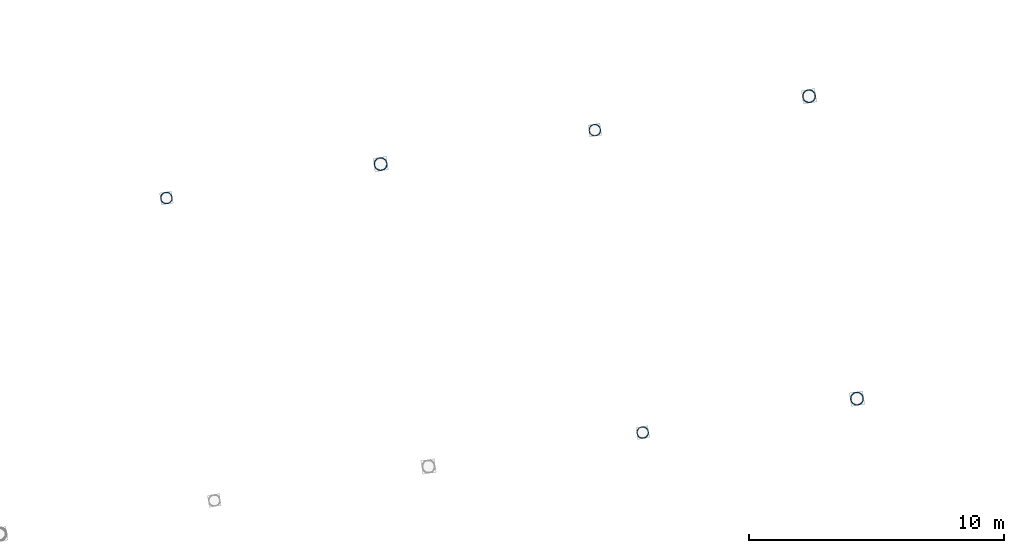
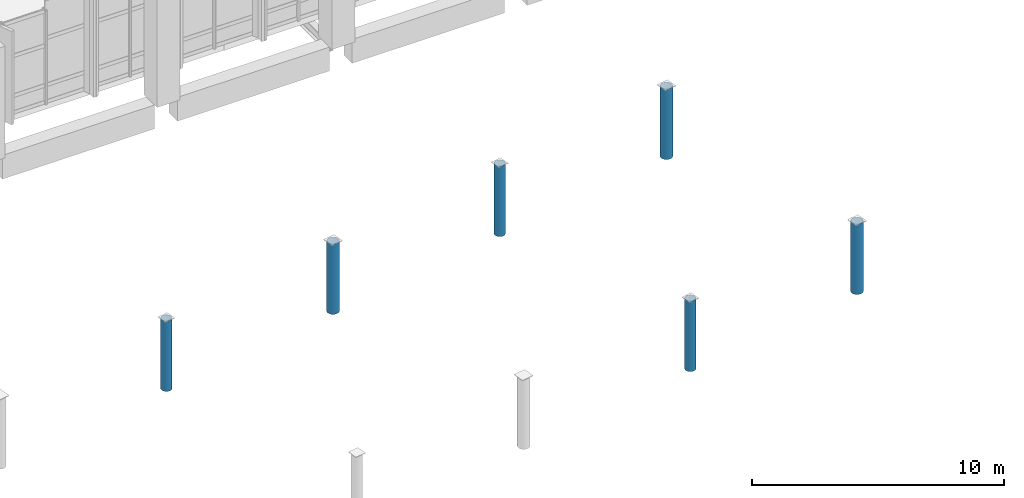
# One storey, part 5 of 176: 6 columns.
"""IFC4 building model written with IfcOpenShell, lengths in metres."""

from ifc_helpers import new_model, si_unit, direction, frame, origin, origin_2d, place, context, subcontext, project, spatial, hollow_circle, extrude, material, material_profile, profile_set, type_object, element, save


model = new_model("IFC4")

# Units and contexts
model_context = context("Model", 3, precision=1e-05, world=origin(), true_north=direction((0.0, 1.0)))
body_context = subcontext(model_context, "Body", "Model", "MODEL_VIEW")
ifc_project = project(units=[si_unit("LENGTHUNIT", "METRE"), si_unit("AREAUNIT", "SQUARE_METRE"), si_unit("VOLUMEUNIT", "CUBIC_METRE"), si_unit("PLANEANGLEUNIT", "RADIAN"), si_unit("MASSUNIT", "GRAM", prefix="KILO")], contexts=[model_context])

# Site, building, storey
site_placement = place(None, origin())
site = spatial("IfcSite", under=ifc_project, at=site_placement, CompositionType="ELEMENT")
building_placement = place(site_placement, origin())
building = spatial("IfcBuilding", under=site, at=building_placement, Name="Khorjan Park Terminus", CompositionType="ELEMENT")
storey_placement = place(building_placement, frame((0.0, 0.0, 6.0)))
storey = spatial("IfcBuildingStorey", under=building, at=storey_placement, Name="L01", CompositionType="ELEMENT", Elevation=6.0)

# Columns
ifc_material = material(Name="Steel S355", Category="steel")
ifc_material_profile_1 = material_profile(ifc_material, hollow_circle(Radius=0.2285, WallThickness=0.016, at=origin_2d()), Name="CHS 457x16")
ifc_profile_set_1 = profile_set([ifc_material_profile_1], Name="Steel S355")
column_type_1 = type_object("IfcColumnType", Name="COL-SH457E", PredefinedType="COLUMN", material=ifc_profile_set_1)
for number, where, z_axis, x_axis, name in (
    (1, (94.1, 8.501, 0.0), (0.0, 0.0, 1.0), (0.987688340595, 0.15643446504, 0.0), "Structural column SC-46 (L01 #577)"),
    (2, (112.767, -0.692, 0.0), (0.0, 0.0, 1.0), (0.987688340595, 0.15643446504, 0.0), "Structural column SC-46 (L01 #586)"),
    (3, (110.89, 11.16, 0.0), (0.0, 0.0, 1.0), (0.987688340595, 0.15643446504, 0.0), "Structural column SC-46 (L01 #589)"),
):
    element("IfcColumn", number, at=place(storey_placement, frame(where, z_axis=z_axis, x_axis=x_axis)), inside=storey, type_object=column_type_1, Name=name, PredefinedType="COLUMN", context=body_context, shape_type="SweptSolid", body=[
        extrude(hollow_circle(Radius=0.2285, WallThickness=0.016, at=origin_2d()), origin(), (0.0, 0.0, 1.0), 3.4),
    ])
ifc_material_profile_2 = material_profile(ifc_material, hollow_circle(Radius=0.254, WallThickness=0.02, at=origin_2d()), Name="CHS 508x20")
ifc_profile_set_2 = profile_set([ifc_material_profile_2], Name="Steel S355")
column_type_2 = type_object("IfcColumnType", Name="COL-SH508E", PredefinedType="COLUMN", material=ifc_profile_set_2)
for number, where, z_axis, x_axis, name in (
    (4, (102.495, 9.83, 0.0), (0.0, 0.0, 1.0), (0.987688340595, 0.15643446504, 0.0), "Structural column SC-51 (L01 #583)"),
    (5, (121.163, 0.637, 0.0), (0.0, 0.0, 1.0), (0.987688340595, 0.15643446504, 0.0), "Structural column SC-51 (L01 #592)"),
    (6, (119.286, 12.49, 0.0), (0.0, 0.0, 1.0), (0.987688340595, 0.15643446504, 0.0), "Structural column SC-51 (L01 #595)"),
):
    element("IfcColumn", number, at=place(storey_placement, frame(where, z_axis=z_axis, x_axis=x_axis)), inside=storey, type_object=column_type_2, Name=name, PredefinedType="COLUMN", context=body_context, shape_type="SweptSolid", body=[
        extrude(hollow_circle(Radius=0.254, WallThickness=0.02, at=origin_2d()), origin(), (0.0, 0.0, 1.0), 3.4),
    ])

save(model, "model.ifc")
